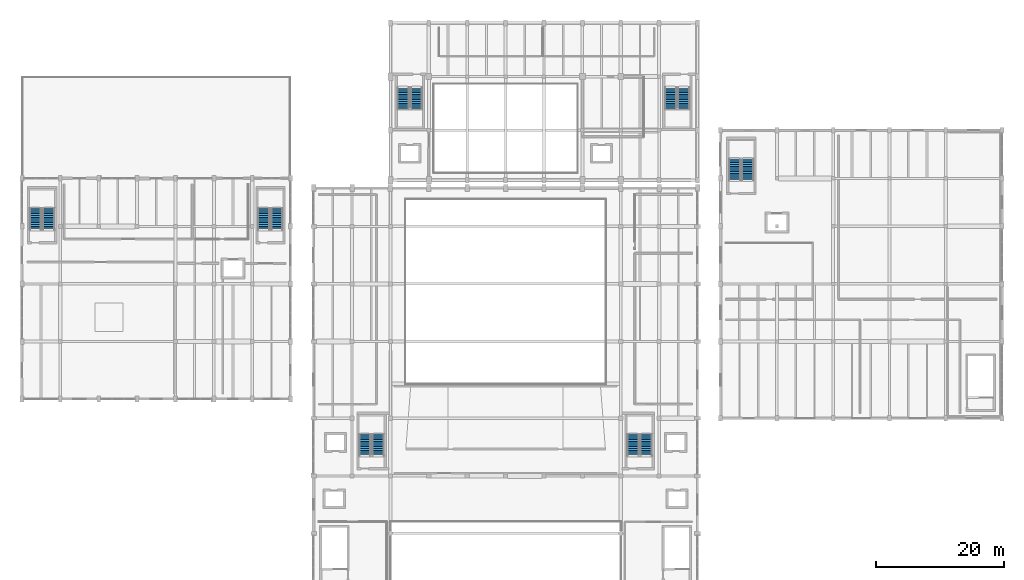
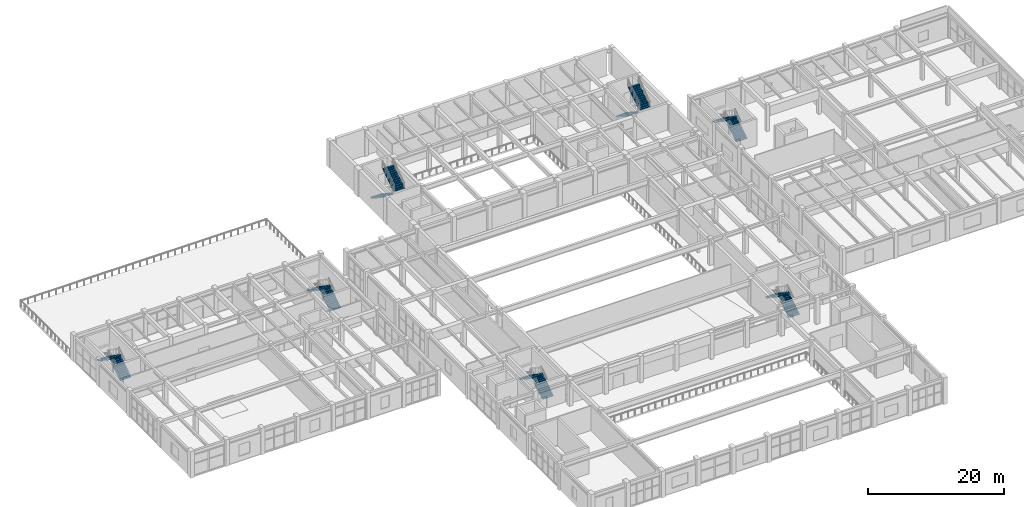
# One storey, part 64 of 80: 14 stair flights, 7 elements without a shape of their own.
"""IFC4 building model written with IfcOpenShell, lengths in metres."""

from ifc_helpers import new_model, si_unit, direction, frame, origin, place, context, subcontext, project, spatial, polyline, outline, extrude, material, type_object, element, aggregate, save


model = new_model("IFC4")

# Units and contexts
model_context = context("Model", 3, precision=1e-05, world=origin(), true_north=direction((0.0, 1.0)))
body_context = subcontext(model_context, "Body", "Model", "MODEL_VIEW")
ifc_project = project(units=[si_unit("LENGTHUNIT", "METRE"), si_unit("AREAUNIT", "SQUARE_METRE"), si_unit("VOLUMEUNIT", "CUBIC_METRE"), si_unit("PLANEANGLEUNIT", "RADIAN"), si_unit("MASSUNIT", "GRAM", prefix="KILO")], contexts=[model_context])

# Site, building, storey
site_placement = place(None, origin())
site = spatial("IfcSite", under=ifc_project, at=site_placement, CompositionType="ELEMENT")
building_placement = place(site_placement, origin())
building = spatial("IfcBuilding", under=site, at=building_placement, Name="Vaelkrest Opera House", CompositionType="ELEMENT")
storey_placement = place(building_placement, frame((0.0, 0.0, 15.0)))
storey = spatial("IfcBuildingStorey", under=building, at=storey_placement, Name="L03", CompositionType="ELEMENT", Elevation=15.0)

# Stair, stair flights
ifc_material = material(Name="Concrete C40/50", Category="concrete")
stair_type_1 = type_object("IfcStairType", Name="ST01", PredefinedType="TWO_STRAIGHT_RUN_STAIR", material=ifc_material)
stair_1_placement = place(storey_placement, origin())
stair_1 = element("IfcStair", 1, at=stair_1_placement, inside=storey, type_object=stair_type_1, Name="L03 Protected exit stair ST01", PredefinedType="TWO_STRAIGHT_RUN_STAIR")
stair_flight_type = type_object("IfcStairFlightType", Name="SFL176", PredefinedType="STRAIGHT", material=ifc_material)
stair_flight_1_placement = place(storey_placement, frame((-19.925048828125, -25.64990234375, 0.0), z_axis=(0.0, 0.0, 1.0), x_axis=(0.0, 1.0, 0.0)))
stair_flight_1 = element("IfcStairFlight", 2, at=stair_flight_1_placement, type_object=stair_flight_type, Name="ST01 flight 1", NumberOfRisers=13, NumberOfTreads=12, PredefinedType="STRAIGHT", RiserHeight=0.184615385, TreadLength=0.28, context=body_context, shape_type="SweptSolid", body=[
    extrude(outline(polyline([(0.0, 0.0), (0.0, 0.1845703125), (0.280029296875, 0.1845703125), (0.280029296875, 0.369140625), (0.56005859375, 0.369140625), (0.56005859375, 0.553955078125), (0.840087890625, 0.553955078125), (0.840087890625, 0.738525390625), (1.1201171875, 0.738525390625), (1.1201171875, 0.923095703125), (1.39990234375, 0.923095703125), (1.39990234375, 1.107666015625), (1.679931640625, 1.107666015625), (1.679931640625, 1.292236328125), (1.9599609375, 1.292236328125), (1.9599609375, 1.476806640625), (2.239990234375, 1.476806640625), (2.239990234375, 1.66162109375), (2.52001953125, 1.66162109375), (2.52001953125, 1.84619140625), (2.800048828125, 1.84619140625), (2.800048828125, 2.03076171875), (3.080078125, 2.03076171875), (3.080078125, 2.21533203125), (3.360107421875, 2.21533203125), (3.360107421875, 2.39990234375), (3.360107421875, 2.02392578125), (0.29052734375, 0.0), (0.0, 0.0)])), frame((0.0, 0.925048828125, 0.0), z_axis=(0.0, -1.0, 0.0), x_axis=(1.0, 0.0, 0.0)), (0.0, 0.0, 1.0), 1.85009765625),
])
stair_flight_2_placement = place(storey_placement, frame((-21.97509765625, -22.2900390625, 2.39990234375), z_axis=(0.0, 0.0, 1.0), x_axis=(0.0, -1.0, 0.0)))
stair_flight_2 = element("IfcStairFlight", 3, at=stair_flight_2_placement, type_object=stair_flight_type, Name="ST01 flight 2", NumberOfRisers=13, NumberOfTreads=12, PredefinedType="STRAIGHT", RiserHeight=0.184615385, TreadLength=0.28, context=body_context, shape_type="SweptSolid", body=[
    extrude(outline(polyline([(0.0, 0.0), (0.0, 0.1845703125), (0.280029296875, 0.1845703125), (0.280029296875, 0.369140625), (0.56005859375, 0.369140625), (0.56005859375, 0.553955078125), (0.840087890625, 0.553955078125), (0.840087890625, 0.738525390625), (1.1201171875, 0.738525390625), (1.1201171875, 0.923095703125), (1.39990234375, 0.923095703125), (1.39990234375, 1.107666015625), (1.679931640625, 1.107666015625), (1.679931640625, 1.292236328125), (1.9599609375, 1.292236328125), (1.9599609375, 1.476806640625), (2.239990234375, 1.476806640625), (2.239990234375, 1.66162109375), (2.52001953125, 1.66162109375), (2.52001953125, 1.84619140625), (2.800048828125, 1.84619140625), (2.800048828125, 2.03076171875), (3.080078125, 2.03076171875), (3.080078125, 2.21533203125), (3.360107421875, 2.21533203125), (3.360107421875, 2.39990234375), (3.360107421875, 2.02392578125), (0.29052734375, 0.0), (0.0, 0.0)])), frame((0.0, 0.925048828125, 0.0), z_axis=(0.0, -1.0, 0.0), x_axis=(1.0, 0.0, 0.0)), (0.0, 0.0, 1.0), 1.85009765625),
])
aggregate(stair_1, [stair_flight_1, stair_flight_2])

stair_type_2 = type_object("IfcStairType", Name="ST02", PredefinedType="TWO_STRAIGHT_RUN_STAIR", material=ifc_material)
stair_2_placement = place(storey_placement, origin())
stair_2 = element("IfcStair", 4, at=stair_2_placement, inside=storey, type_object=stair_type_2, Name="L03 Protected exit stair ST02", PredefinedType="TWO_STRAIGHT_RUN_STAIR")
stair_flight_3_placement = place(storey_placement, frame((21.97509765625, -25.64990234375, 0.0), z_axis=(0.0, 0.0, 1.0), x_axis=(0.0, 1.0, 0.0)))
stair_flight_3 = element("IfcStairFlight", 5, at=stair_flight_3_placement, type_object=stair_flight_type, Name="ST02 flight 1", NumberOfRisers=13, NumberOfTreads=12, PredefinedType="STRAIGHT", RiserHeight=0.184615385, TreadLength=0.28, context=body_context, shape_type="SweptSolid", body=[
    extrude(outline(polyline([(0.0, 0.0), (0.0, 0.1845703125), (0.280029296875, 0.1845703125), (0.280029296875, 0.369140625), (0.56005859375, 0.369140625), (0.56005859375, 0.553955078125), (0.840087890625, 0.553955078125), (0.840087890625, 0.738525390625), (1.1201171875, 0.738525390625), (1.1201171875, 0.923095703125), (1.39990234375, 0.923095703125), (1.39990234375, 1.107666015625), (1.679931640625, 1.107666015625), (1.679931640625, 1.292236328125), (1.9599609375, 1.292236328125), (1.9599609375, 1.476806640625), (2.239990234375, 1.476806640625), (2.239990234375, 1.66162109375), (2.52001953125, 1.66162109375), (2.52001953125, 1.84619140625), (2.800048828125, 1.84619140625), (2.800048828125, 2.03076171875), (3.080078125, 2.03076171875), (3.080078125, 2.21533203125), (3.360107421875, 2.21533203125), (3.360107421875, 2.39990234375), (3.360107421875, 2.02392578125), (0.29052734375, 0.0), (0.0, 0.0)])), frame((0.0, 0.925048828125, 0.0), z_axis=(0.0, -1.0, 0.0), x_axis=(1.0, 0.0, 0.0)), (0.0, 0.0, 1.0), 1.85009765625),
])
stair_flight_4_placement = place(storey_placement, frame((19.925048828125, -22.2900390625, 2.39990234375), z_axis=(0.0, 0.0, 1.0), x_axis=(0.0, -1.0, 0.0)))
stair_flight_4 = element("IfcStairFlight", 6, at=stair_flight_4_placement, type_object=stair_flight_type, Name="ST02 flight 2", NumberOfRisers=13, NumberOfTreads=12, PredefinedType="STRAIGHT", RiserHeight=0.184615385, TreadLength=0.28, context=body_context, shape_type="SweptSolid", body=[
    extrude(outline(polyline([(0.0, 0.0), (0.0, 0.1845703125), (0.280029296875, 0.1845703125), (0.280029296875, 0.369140625), (0.56005859375, 0.369140625), (0.56005859375, 0.553955078125), (0.840087890625, 0.553955078125), (0.840087890625, 0.738525390625), (1.1201171875, 0.738525390625), (1.1201171875, 0.923095703125), (1.39990234375, 0.923095703125), (1.39990234375, 1.107666015625), (1.679931640625, 1.107666015625), (1.679931640625, 1.292236328125), (1.9599609375, 1.292236328125), (1.9599609375, 1.476806640625), (2.239990234375, 1.476806640625), (2.239990234375, 1.66162109375), (2.52001953125, 1.66162109375), (2.52001953125, 1.84619140625), (2.800048828125, 1.84619140625), (2.800048828125, 2.03076171875), (3.080078125, 2.03076171875), (3.080078125, 2.21533203125), (3.360107421875, 2.21533203125), (3.360107421875, 2.39990234375), (3.360107421875, 2.02392578125), (0.29052734375, 0.0), (0.0, 0.0)])), frame((0.0, 0.925048828125, 0.0), z_axis=(0.0, -1.0, 0.0), x_axis=(1.0, 0.0, 0.0)), (0.0, 0.0, 1.0), 1.85009765625),
])
aggregate(stair_2, [stair_flight_3, stair_flight_4])

stair_type_3 = type_object("IfcStairType", Name="ST05", PredefinedType="TWO_STRAIGHT_RUN_STAIR", material=ifc_material)
stair_3_placement = place(storey_placement, origin())
stair_3 = element("IfcStair", 7, at=stair_3_placement, inside=storey, type_object=stair_type_3, Name="L03 Protected exit stair ST05", PredefinedType="TWO_STRAIGHT_RUN_STAIR")
stair_flight_5_placement = place(storey_placement, frame((-15.97509765625, 31.949951171875, 0.0), z_axis=(0.0, 0.0, 1.0), x_axis=(0.0, -1.0, 0.0)))
stair_flight_5 = element("IfcStairFlight", 8, at=stair_flight_5_placement, type_object=stair_flight_type, Name="ST05 flight 1", NumberOfRisers=13, NumberOfTreads=12, PredefinedType="STRAIGHT", RiserHeight=0.184615385, TreadLength=0.28, context=body_context, shape_type="SweptSolid", body=[
    extrude(outline(polyline([(0.0, 0.0), (0.0, 0.1845703125), (0.280029296875, 0.1845703125), (0.280029296875, 0.369140625), (0.56005859375, 0.369140625), (0.56005859375, 0.553955078125), (0.840087890625, 0.553955078125), (0.840087890625, 0.738525390625), (1.1201171875, 0.738525390625), (1.1201171875, 0.923095703125), (1.39990234375, 0.923095703125), (1.39990234375, 1.107666015625), (1.679931640625, 1.107666015625), (1.679931640625, 1.292236328125), (1.9599609375, 1.292236328125), (1.9599609375, 1.476806640625), (2.239990234375, 1.476806640625), (2.239990234375, 1.66162109375), (2.52001953125, 1.66162109375), (2.52001953125, 1.84619140625), (2.800048828125, 1.84619140625), (2.800048828125, 2.03076171875), (3.080078125, 2.03076171875), (3.080078125, 2.21533203125), (3.360107421875, 2.21533203125), (3.360107421875, 2.39990234375), (3.360107421875, 2.02392578125), (0.29052734375, 0.0), (0.0, 0.0)])), frame((0.0, 0.925048828125, 0.0), z_axis=(0.0, -1.0, 0.0), x_axis=(1.0, 0.0, 0.0)), (0.0, 0.0, 1.0), 1.85009765625),
])
stair_flight_6_placement = place(storey_placement, frame((-13.925048828125, 28.590087890625, 2.39990234375), z_axis=(0.0, 0.0, 1.0), x_axis=(0.0, 1.0, 0.0)))
stair_flight_6 = element("IfcStairFlight", 9, at=stair_flight_6_placement, type_object=stair_flight_type, Name="ST05 flight 2", NumberOfRisers=13, NumberOfTreads=12, PredefinedType="STRAIGHT", RiserHeight=0.184615385, TreadLength=0.28, context=body_context, shape_type="SweptSolid", body=[
    extrude(outline(polyline([(0.0, 0.0), (0.0, 0.1845703125), (0.280029296875, 0.1845703125), (0.280029296875, 0.369140625), (0.56005859375, 0.369140625), (0.56005859375, 0.553955078125), (0.840087890625, 0.553955078125), (0.840087890625, 0.738525390625), (1.1201171875, 0.738525390625), (1.1201171875, 0.923095703125), (1.39990234375, 0.923095703125), (1.39990234375, 1.107666015625), (1.679931640625, 1.107666015625), (1.679931640625, 1.292236328125), (1.9599609375, 1.292236328125), (1.9599609375, 1.476806640625), (2.239990234375, 1.476806640625), (2.239990234375, 1.66162109375), (2.52001953125, 1.66162109375), (2.52001953125, 1.84619140625), (2.800048828125, 1.84619140625), (2.800048828125, 2.03076171875), (3.080078125, 2.03076171875), (3.080078125, 2.21533203125), (3.360107421875, 2.21533203125), (3.360107421875, 2.39990234375), (3.360107421875, 2.02392578125), (0.29052734375, 0.0), (0.0, 0.0)])), frame((0.0, 0.925048828125, 0.0), z_axis=(0.0, -1.0, 0.0), x_axis=(1.0, 0.0, 0.0)), (0.0, 0.0, 1.0), 1.85009765625),
])
aggregate(stair_3, [stair_flight_5, stair_flight_6])

stair_type_4 = type_object("IfcStairType", Name="ST06", PredefinedType="TWO_STRAIGHT_RUN_STAIR", material=ifc_material)
stair_4_placement = place(storey_placement, origin())
stair_4 = element("IfcStair", 10, at=stair_4_placement, inside=storey, type_object=stair_type_4, Name="L03 Protected exit stair ST06", PredefinedType="TWO_STRAIGHT_RUN_STAIR")
stair_flight_7_placement = place(storey_placement, frame((25.824951171875, 31.949951171875, 0.0), z_axis=(0.0, 0.0, 1.0), x_axis=(0.0, -1.0, 0.0)))
stair_flight_7 = element("IfcStairFlight", 11, at=stair_flight_7_placement, type_object=stair_flight_type, Name="ST06 flight 1", NumberOfRisers=13, NumberOfTreads=12, PredefinedType="STRAIGHT", RiserHeight=0.184615385, TreadLength=0.28, context=body_context, shape_type="SweptSolid", body=[
    extrude(outline(polyline([(0.0, 0.0), (0.0, 0.1845703125), (0.280029296875, 0.1845703125), (0.280029296875, 0.369140625), (0.56005859375, 0.369140625), (0.56005859375, 0.553955078125), (0.840087890625, 0.553955078125), (0.840087890625, 0.738525390625), (1.1201171875, 0.738525390625), (1.1201171875, 0.923095703125), (1.39990234375, 0.923095703125), (1.39990234375, 1.107666015625), (1.679931640625, 1.107666015625), (1.679931640625, 1.292236328125), (1.9599609375, 1.292236328125), (1.9599609375, 1.476806640625), (2.239990234375, 1.476806640625), (2.239990234375, 1.66162109375), (2.52001953125, 1.66162109375), (2.52001953125, 1.84619140625), (2.800048828125, 1.84619140625), (2.800048828125, 2.03076171875), (3.080078125, 2.03076171875), (3.080078125, 2.21533203125), (3.360107421875, 2.21533203125), (3.360107421875, 2.39990234375), (3.360107421875, 2.02392578125), (0.29052734375, 0.0), (0.0, 0.0)])), frame((0.0, 0.925048828125, 0.0), z_axis=(0.0, -1.0, 0.0), x_axis=(1.0, 0.0, 0.0)), (0.0, 0.0, 1.0), 1.85009765625),
])
stair_flight_8_placement = place(storey_placement, frame((27.875, 28.590087890625, 2.39990234375), z_axis=(0.0, 0.0, 1.0), x_axis=(0.0, 1.0, 0.0)))
stair_flight_8 = element("IfcStairFlight", 12, at=stair_flight_8_placement, type_object=stair_flight_type, Name="ST06 flight 2", NumberOfRisers=13, NumberOfTreads=12, PredefinedType="STRAIGHT", RiserHeight=0.184615385, TreadLength=0.28, context=body_context, shape_type="SweptSolid", body=[
    extrude(outline(polyline([(0.0, 0.0), (0.0, 0.1845703125), (0.280029296875, 0.1845703125), (0.280029296875, 0.369140625), (0.56005859375, 0.369140625), (0.56005859375, 0.553955078125), (0.840087890625, 0.553955078125), (0.840087890625, 0.738525390625), (1.1201171875, 0.738525390625), (1.1201171875, 0.923095703125), (1.39990234375, 0.923095703125), (1.39990234375, 1.107666015625), (1.679931640625, 1.107666015625), (1.679931640625, 1.292236328125), (1.9599609375, 1.292236328125), (1.9599609375, 1.476806640625), (2.239990234375, 1.476806640625), (2.239990234375, 1.66162109375), (2.52001953125, 1.66162109375), (2.52001953125, 1.84619140625), (2.800048828125, 1.84619140625), (2.800048828125, 2.03076171875), (3.080078125, 2.03076171875), (3.080078125, 2.21533203125), (3.360107421875, 2.21533203125), (3.360107421875, 2.39990234375), (3.360107421875, 2.02392578125), (0.29052734375, 0.0), (0.0, 0.0)])), frame((0.0, 0.925048828125, 0.0), z_axis=(0.0, -1.0, 0.0), x_axis=(1.0, 0.0, 0.0)), (0.0, 0.0, 1.0), 1.85009765625),
])
aggregate(stair_4, [stair_flight_7, stair_flight_8])

stair_type_5 = type_object("IfcStairType", Name="ST07", PredefinedType="TWO_STRAIGHT_RUN_STAIR", material=ifc_material)
stair_5_placement = place(storey_placement, origin())
stair_5 = element("IfcStair", 13, at=stair_5_placement, inside=storey, type_object=stair_type_5, Name="L03 Protected exit stair ST07", PredefinedType="TWO_STRAIGHT_RUN_STAIR")
stair_flight_9_placement = place(storey_placement, frame((-71.425048828125, 9.64990234375, 0.0), z_axis=(0.0, 0.0, 1.0), x_axis=(0.0, 1.0, 0.0)))
stair_flight_9 = element("IfcStairFlight", 14, at=stair_flight_9_placement, type_object=stair_flight_type, Name="ST07 flight 1", NumberOfRisers=13, NumberOfTreads=12, PredefinedType="STRAIGHT", RiserHeight=0.184615385, TreadLength=0.28, context=body_context, shape_type="SweptSolid", body=[
    extrude(outline(polyline([(0.0, 0.0), (0.0, 0.1845703125), (0.280029296875, 0.1845703125), (0.280029296875, 0.369140625), (0.56005859375, 0.369140625), (0.56005859375, 0.553955078125), (0.840087890625, 0.553955078125), (0.840087890625, 0.738525390625), (1.1201171875, 0.738525390625), (1.1201171875, 0.923095703125), (1.39990234375, 0.923095703125), (1.39990234375, 1.107666015625), (1.679931640625, 1.107666015625), (1.679931640625, 1.292236328125), (1.9599609375, 1.292236328125), (1.9599609375, 1.476806640625), (2.239990234375, 1.476806640625), (2.239990234375, 1.66162109375), (2.52001953125, 1.66162109375), (2.52001953125, 1.84619140625), (2.800048828125, 1.84619140625), (2.800048828125, 2.03076171875), (3.080078125, 2.03076171875), (3.080078125, 2.21533203125), (3.360107421875, 2.21533203125), (3.360107421875, 2.39990234375), (3.360107421875, 2.02392578125), (0.29052734375, 0.0), (0.0, 0.0)])), frame((0.0, 0.925048828125, 0.0), z_axis=(0.0, -1.0, 0.0), x_axis=(1.0, 0.0, 0.0)), (0.0, 0.0, 1.0), 1.85009765625),
])
stair_flight_10_placement = place(storey_placement, frame((-73.47509765625, 13.010009765625, 2.39990234375), z_axis=(0.0, 0.0, 1.0), x_axis=(0.0, -1.0, 0.0)))
stair_flight_10 = element("IfcStairFlight", 15, at=stair_flight_10_placement, type_object=stair_flight_type, Name="ST07 flight 2", NumberOfRisers=13, NumberOfTreads=12, PredefinedType="STRAIGHT", RiserHeight=0.184615385, TreadLength=0.28, context=body_context, shape_type="SweptSolid", body=[
    extrude(outline(polyline([(0.0, 0.0), (0.0, 0.1845703125), (0.280029296875, 0.1845703125), (0.280029296875, 0.369140625), (0.56005859375, 0.369140625), (0.56005859375, 0.553955078125), (0.840087890625, 0.553955078125), (0.840087890625, 0.738525390625), (1.1201171875, 0.738525390625), (1.1201171875, 0.923095703125), (1.39990234375, 0.923095703125), (1.39990234375, 1.107666015625), (1.679931640625, 1.107666015625), (1.679931640625, 1.292236328125), (1.9599609375, 1.292236328125), (1.9599609375, 1.476806640625), (2.239990234375, 1.476806640625), (2.239990234375, 1.66162109375), (2.52001953125, 1.66162109375), (2.52001953125, 1.84619140625), (2.800048828125, 1.84619140625), (2.800048828125, 2.03076171875), (3.080078125, 2.03076171875), (3.080078125, 2.21533203125), (3.360107421875, 2.21533203125), (3.360107421875, 2.39990234375), (3.360107421875, 2.02392578125), (0.29052734375, 0.0), (0.0, 0.0)])), frame((0.0, 0.925048828125, 0.0), z_axis=(0.0, -1.0, 0.0), x_axis=(1.0, 0.0, 0.0)), (0.0, 0.0, 1.0), 1.85009765625),
])
aggregate(stair_5, [stair_flight_9, stair_flight_10])

stair_type_6 = type_object("IfcStairType", Name="ST08", PredefinedType="TWO_STRAIGHT_RUN_STAIR", material=ifc_material)
stair_6_placement = place(storey_placement, origin())
stair_6 = element("IfcStair", 16, at=stair_6_placement, inside=storey, type_object=stair_type_6, Name="L03 Protected exit stair ST08", PredefinedType="TWO_STRAIGHT_RUN_STAIR")
stair_flight_11_placement = place(storey_placement, frame((-35.72509765625, 9.64990234375, 0.0), z_axis=(0.0, 0.0, 1.0), x_axis=(0.0, 1.0, 0.0)))
stair_flight_11 = element("IfcStairFlight", 17, at=stair_flight_11_placement, type_object=stair_flight_type, Name="ST08 flight 1", NumberOfRisers=13, NumberOfTreads=12, PredefinedType="STRAIGHT", RiserHeight=0.184615385, TreadLength=0.28, context=body_context, shape_type="SweptSolid", body=[
    extrude(outline(polyline([(0.0, 0.0), (0.0, 0.1845703125), (0.280029296875, 0.1845703125), (0.280029296875, 0.369140625), (0.56005859375, 0.369140625), (0.56005859375, 0.553955078125), (0.840087890625, 0.553955078125), (0.840087890625, 0.738525390625), (1.1201171875, 0.738525390625), (1.1201171875, 0.923095703125), (1.39990234375, 0.923095703125), (1.39990234375, 1.107666015625), (1.679931640625, 1.107666015625), (1.679931640625, 1.292236328125), (1.9599609375, 1.292236328125), (1.9599609375, 1.476806640625), (2.239990234375, 1.476806640625), (2.239990234375, 1.66162109375), (2.52001953125, 1.66162109375), (2.52001953125, 1.84619140625), (2.800048828125, 1.84619140625), (2.800048828125, 2.03076171875), (3.080078125, 2.03076171875), (3.080078125, 2.21533203125), (3.360107421875, 2.21533203125), (3.360107421875, 2.39990234375), (3.360107421875, 2.02392578125), (0.29052734375, 0.0), (0.0, 0.0)])), frame((0.0, 0.925048828125, 0.0), z_axis=(0.0, -1.0, 0.0), x_axis=(1.0, 0.0, 0.0)), (0.0, 0.0, 1.0), 1.85009765625),
])
stair_flight_12_placement = place(storey_placement, frame((-37.77490234375, 13.010009765625, 2.39990234375), z_axis=(0.0, 0.0, 1.0), x_axis=(0.0, -1.0, 0.0)))
stair_flight_12 = element("IfcStairFlight", 18, at=stair_flight_12_placement, type_object=stair_flight_type, Name="ST08 flight 2", NumberOfRisers=13, NumberOfTreads=12, PredefinedType="STRAIGHT", RiserHeight=0.184615385, TreadLength=0.28, context=body_context, shape_type="SweptSolid", body=[
    extrude(outline(polyline([(0.0, 0.0), (0.0, 0.1845703125), (0.280029296875, 0.1845703125), (0.280029296875, 0.369140625), (0.56005859375, 0.369140625), (0.56005859375, 0.553955078125), (0.840087890625, 0.553955078125), (0.840087890625, 0.738525390625), (1.1201171875, 0.738525390625), (1.1201171875, 0.923095703125), (1.39990234375, 0.923095703125), (1.39990234375, 1.107666015625), (1.679931640625, 1.107666015625), (1.679931640625, 1.292236328125), (1.9599609375, 1.292236328125), (1.9599609375, 1.476806640625), (2.239990234375, 1.476806640625), (2.239990234375, 1.66162109375), (2.52001953125, 1.66162109375), (2.52001953125, 1.84619140625), (2.800048828125, 1.84619140625), (2.800048828125, 2.03076171875), (3.080078125, 2.03076171875), (3.080078125, 2.21533203125), (3.360107421875, 2.21533203125), (3.360107421875, 2.39990234375), (3.360107421875, 2.02392578125), (0.29052734375, 0.0), (0.0, 0.0)])), frame((0.0, 0.925048828125, 0.0), z_axis=(0.0, -1.0, 0.0), x_axis=(1.0, 0.0, 0.0)), (0.0, 0.0, 1.0), 1.85009765625),
])
aggregate(stair_6, [stair_flight_11, stair_flight_12])

stair_type_7 = type_object("IfcStairType", Name="ST09", PredefinedType="TWO_STRAIGHT_RUN_STAIR", material=ifc_material)
stair_7_placement = place(storey_placement, origin())
stair_7 = element("IfcStair", 19, at=stair_7_placement, inside=storey, type_object=stair_type_7, Name="L03 Protected exit stair ST09", PredefinedType="TWO_STRAIGHT_RUN_STAIR")
stair_flight_13_placement = place(storey_placement, frame((37.875, 17.35009765625, 0.0), z_axis=(0.0, 0.0, 1.0), x_axis=(0.0, 1.0, 0.0)))
stair_flight_13 = element("IfcStairFlight", 20, at=stair_flight_13_placement, type_object=stair_flight_type, Name="ST09 flight 1", NumberOfRisers=13, NumberOfTreads=12, PredefinedType="STRAIGHT", RiserHeight=0.184615385, TreadLength=0.28, context=body_context, shape_type="SweptSolid", body=[
    extrude(outline(polyline([(0.0, 0.0), (0.0, 0.1845703125), (0.280029296875, 0.1845703125), (0.280029296875, 0.369140625), (0.56005859375, 0.369140625), (0.56005859375, 0.553955078125), (0.840087890625, 0.553955078125), (0.840087890625, 0.738525390625), (1.1201171875, 0.738525390625), (1.1201171875, 0.923095703125), (1.39990234375, 0.923095703125), (1.39990234375, 1.107666015625), (1.679931640625, 1.107666015625), (1.679931640625, 1.292236328125), (1.9599609375, 1.292236328125), (1.9599609375, 1.476806640625), (2.239990234375, 1.476806640625), (2.239990234375, 1.66162109375), (2.52001953125, 1.66162109375), (2.52001953125, 1.84619140625), (2.800048828125, 1.84619140625), (2.800048828125, 2.03076171875), (3.080078125, 2.03076171875), (3.080078125, 2.21533203125), (3.360107421875, 2.21533203125), (3.360107421875, 2.39990234375), (3.360107421875, 2.02392578125), (0.29052734375, 0.0), (0.0, 0.0)])), frame((0.0, 0.925048828125, 0.0), z_axis=(0.0, -1.0, 0.0), x_axis=(1.0, 0.0, 0.0)), (0.0, 0.0, 1.0), 1.85009765625),
])
stair_flight_14_placement = place(storey_placement, frame((35.824951171875, 20.7099609375, 2.39990234375), z_axis=(0.0, 0.0, 1.0), x_axis=(0.0, -1.0, 0.0)))
stair_flight_14 = element("IfcStairFlight", 21, at=stair_flight_14_placement, type_object=stair_flight_type, Name="ST09 flight 2", NumberOfRisers=13, NumberOfTreads=12, PredefinedType="STRAIGHT", RiserHeight=0.184615385, TreadLength=0.28, context=body_context, shape_type="SweptSolid", body=[
    extrude(outline(polyline([(0.0, 0.0), (0.0, 0.1845703125), (0.280029296875, 0.1845703125), (0.280029296875, 0.369140625), (0.56005859375, 0.369140625), (0.56005859375, 0.553955078125), (0.840087890625, 0.553955078125), (0.840087890625, 0.738525390625), (1.1201171875, 0.738525390625), (1.1201171875, 0.923095703125), (1.39990234375, 0.923095703125), (1.39990234375, 1.107666015625), (1.679931640625, 1.107666015625), (1.679931640625, 1.292236328125), (1.9599609375, 1.292236328125), (1.9599609375, 1.476806640625), (2.239990234375, 1.476806640625), (2.239990234375, 1.66162109375), (2.52001953125, 1.66162109375), (2.52001953125, 1.84619140625), (2.800048828125, 1.84619140625), (2.800048828125, 2.03076171875), (3.080078125, 2.03076171875), (3.080078125, 2.21533203125), (3.360107421875, 2.21533203125), (3.360107421875, 2.39990234375), (3.360107421875, 2.02392578125), (0.29052734375, 0.0), (0.0, 0.0)])), frame((0.0, 0.925048828125, 0.0), z_axis=(0.0, -1.0, 0.0), x_axis=(1.0, 0.0, 0.0)), (0.0, 0.0, 1.0), 1.85009765625),
])
aggregate(stair_7, [stair_flight_13, stair_flight_14])

save(model, "model.ifc")
